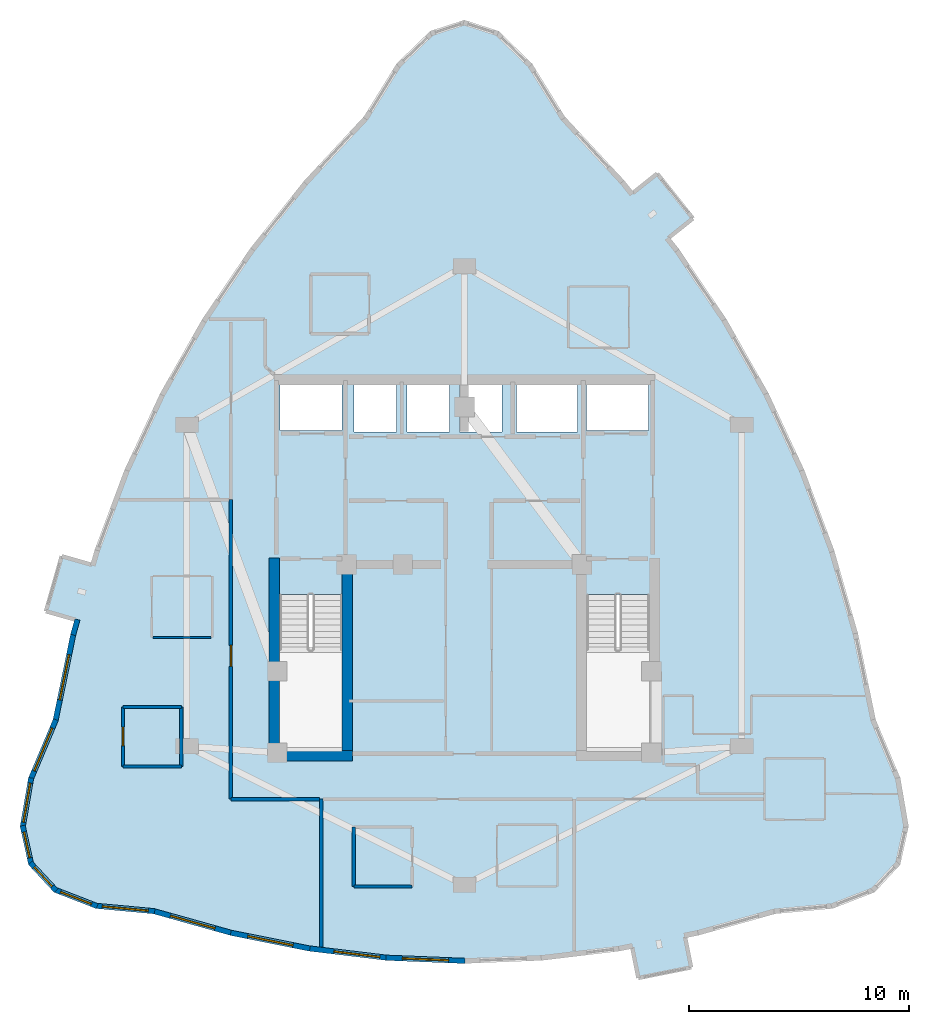
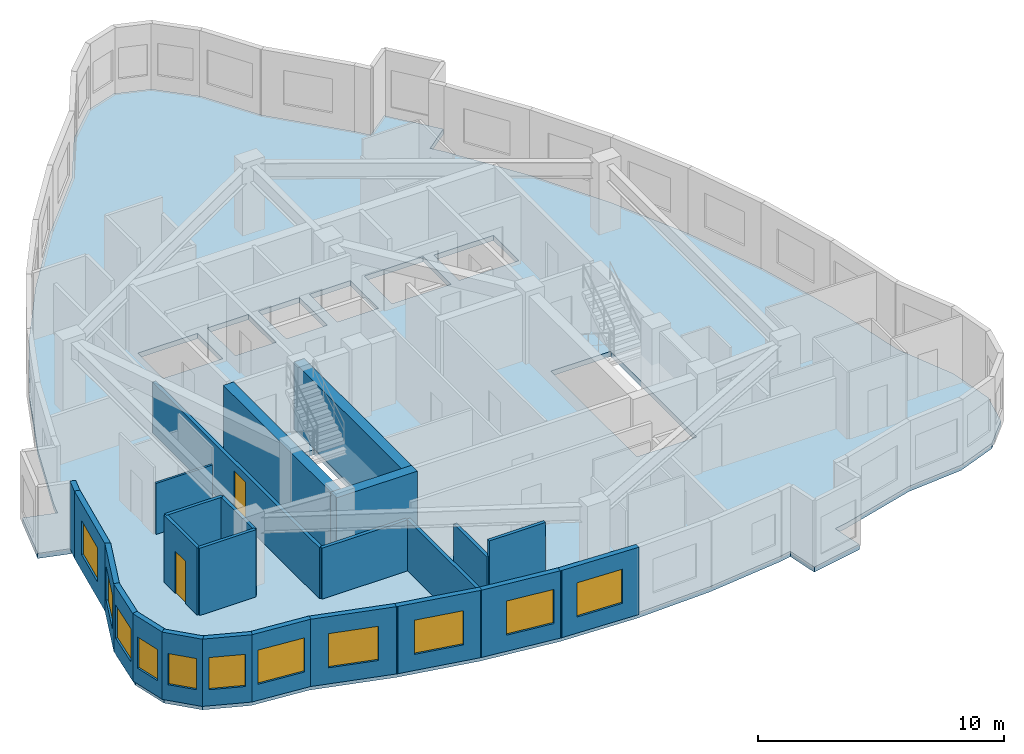
# One storey, part 3 of 8: 25 walls, 11 windows, 2 doors, 1 slab, 13 openings.
"""IFC4 building model written with IfcOpenShell, lengths in metres."""

from ifc_helpers import new_model, si_unit, direction, frame, frame_2d, origin, place, context, subcontext, project, spatial, polyline, rectangle, outline, extrude, material, layer, layer_set, type_object, element, fill, save


model = new_model("IFC4")

# Units and contexts
model_context = context("Model", 3, precision=1e-05, world=origin(), true_north=direction((0.0, 1.0)))
body_context = subcontext(model_context, "Body", "Model", "MODEL_VIEW")
ifc_project = project(units=[si_unit("LENGTHUNIT", "METRE"), si_unit("AREAUNIT", "SQUARE_METRE"), si_unit("VOLUMEUNIT", "CUBIC_METRE"), si_unit("PLANEANGLEUNIT", "RADIAN"), si_unit("MASSUNIT", "GRAM", prefix="KILO")], contexts=[model_context])

# Site, building, storey
site_placement = place(None, origin())
site = spatial("IfcSite", under=ifc_project, at=site_placement, CompositionType="ELEMENT")
building_placement = place(site_placement, origin())
building = spatial("IfcBuilding", under=site, at=building_placement, Name="Miruveldt Soraemaru", CompositionType="ELEMENT")
storey_placement = place(building_placement, frame((0.0, 0.0, 208.800048828125)))
storey = spatial("IfcBuildingStorey", under=building, at=storey_placement, Name="L57", CompositionType="ELEMENT", Elevation=208.800048828125)

# Slab
ifc_material_1 = material(Name="Concrete C40/50 (40 MPa)", Category="concrete")
ifc_layer_1 = layer(ifc_material_1, 0.2548828125, Name="Concrete C40/50 (40 MPa)", Category="concrete")
ifc_layer_set_1 = layer_set([ifc_layer_1], Name="Concrete C40/50 (40 MPa)")
slab_type = type_object("IfcSlabType", Name="SLAB-RES3-255", PredefinedType="FLOOR", material=ifc_layer_set_1)
slab_placement = place(storey_placement, frame((0.0, 0.0, -0.255126953125)))
element("IfcSlab", 1, at=slab_placement, inside=storey, type_object=slab_type, Name="L57 Structural Floor Slab", PredefinedType="FLOOR", context=body_context, shape_type="SweptSolid", body=[
    extrude(outline(polyline([(51.9033203125, 25.273681640625), (51.613037109375, 26.72509765625), (51.049072265625, 26.6123046875), (47.524658203125, 26.189208984375), (44.0, 26.04833984375), (40.475341796875, 26.189208984375), (36.950927734375, 26.6123046875), (33.42626953125, 27.317138671875), (29.90185546875, 28.303955078125), (27.294921875, 28.544921875), (25.432861328125, 29.267333984375), (24.3154296875, 30.471435546875), (23.943115234375, 32.156982421875), (24.3154296875, 34.324462890625), (25.432861328125, 36.973388671875), (26.23779296875, 40.885498046875), (26.777099609375, 42.77099609375), (26.419677734375, 41.521240234375), (24.99658203125, 41.92822265625), (25.711669921875, 44.427978515625), (27.134521484375, 44.02099609375), (27.31640625, 44.656494140625), (28.66845703125, 48.28662109375), (30.2939453125, 51.77587890625), (32.193115234375, 55.1240234375), (34.365478515625, 58.331298828125), (36.8115234375, 61.397216796875), (39.531005859375, 64.322509765625), (41.0205078125, 66.730712890625), (42.51025390625, 68.175537109375), (44.0, 68.6572265625), (45.48974609375, 68.175537109375), (46.9794921875, 66.730712890625), (48.468994140625, 64.322509765625), (51.1884765625, 61.397216796875), (52.41162109375, 59.8642578125), (51.600830078125, 60.880615234375), (52.7578125, 61.803466796875), (54.379150390625, 59.77099609375), (53.22216796875, 58.847900390625), (53.634521484375, 58.331298828125), (55.806884765625, 55.1240234375), (57.7060546875, 51.77587890625), (59.33154296875, 48.28662109375), (60.68359375, 44.656494140625), (61.76220703125, 40.885498046875), (62.567138671875, 36.973388671875), (63.6845703125, 34.324462890625), (64.056884765625, 32.156982421875), (63.6845703125, 30.471435546875), (62.567138671875, 29.267333984375), (60.705078125, 28.544921875), (58.09814453125, 28.303955078125), (54.57373046875, 27.317138671875), (52.811279296875, 26.964599609375), (54.009765625, 27.204345703125), (54.2998046875, 25.7529296875), (51.9033203125, 25.273681640625)]), holes=[polyline([(35.614990234375, 35.6650390625), (38.43505859375, 35.6650390625), (38.43505859375, 42.68505859375), (35.614990234375, 42.68505859375), (35.614990234375, 35.6650390625)]), polyline([(49.56494140625, 35.6650390625), (52.385009765625, 35.6650390625), (52.385009765625, 42.68505859375), (49.56494140625, 42.68505859375), (49.56494140625, 35.6650390625)]), polyline([(38.445068359375, 50.135009765625), (38.445068359375, 52.205078125), (35.635009765625, 52.205078125), (35.635009765625, 50.135009765625), (38.445068359375, 50.135009765625)]), polyline([(52.364990234375, 50.135009765625), (52.364990234375, 52.205078125), (49.554931640625, 52.205078125), (49.554931640625, 50.135009765625), (52.364990234375, 50.135009765625)]), polyline([(40.9150390625, 50.06494140625), (40.9150390625, 52.3349609375), (38.985107421875, 52.3349609375), (38.985107421875, 50.06494140625), (40.9150390625, 50.06494140625)]), polyline([(43.31494140625, 50.06494140625), (43.31494140625, 52.3349609375), (41.385009765625, 52.3349609375), (41.385009765625, 50.06494140625), (43.31494140625, 50.06494140625)]), polyline([(45.715087890625, 50.06494140625), (45.715087890625, 52.3349609375), (43.784912109375, 52.3349609375), (43.784912109375, 50.06494140625), (45.715087890625, 50.06494140625)]), polyline([(49.135009765625, 50.06494140625), (49.135009765625, 52.3349609375), (46.364990234375, 52.3349609375), (46.364990234375, 50.06494140625), (49.135009765625, 50.06494140625)])]), origin(), (0.0, 0.0, 1.0), 0.255126953125),
])

# Walls
ifc_material_2 = material(Name="Concrete C60/75 (60 MPa)", Category="concrete")
ifc_layer_2 = layer(ifc_material_2, 0.47998046875, Name="Concrete C60/75 (60 MPa)", Category="concrete")
ifc_layer_set_2 = layer_set([ifc_layer_2], Name="Concrete C60/75 (60 MPa)")
wall_type_1 = type_object("IfcWallType", Name="WALL-CW-480", PredefinedType="SHEAR", material=ifc_layer_set_2)
wall_1_placement = place(storey_placement, frame((35.1201171875, 35.360107421875, 0.0), z_axis=(0.0, 0.0, 1.0), x_axis=(1.0, 0.0, 0.0)))
element("IfcWall", 2, at=wall_1_placement, inside=storey, type_object=wall_type_1, Name="L57 Central Core Shear Wall S1", PredefinedType="SHEAR", context=body_context, shape_type="SweptSolid", body=[
    extrude(rectangle(XDim=3.809814453125, YDim=0.47998046875, at=frame_2d((1.90478515625, 0.0))), origin(), (0.0, 0.0, 1.0), 3.344970703125),
])
wall_2_placement = place(storey_placement, frame((35.360107421875, 35.1201171875, 0.0), z_axis=(0.0, 0.0, 1.0), x_axis=(0.0, 1.0, 0.0)))
element("IfcWall", 3, at=wall_2_placement, inside=storey, type_object=wall_type_1, Name="L57 Central Core Shear Wall W1", PredefinedType="SHEAR", context=body_context, shape_type="SweptSolid", body=[
    extrude(rectangle(XDim=9.22998046875, YDim=0.47998046875, at=frame_2d((4.614990234375, 0.0))), origin(), (0.0, 0.0, 1.0), 3.344970703125),
])
wall_3_placement = place(storey_placement, frame((38.68994140625, 35.39990234375, 0.0), z_axis=(0.0, 0.0, 1.0), x_axis=(0.0, 1.0, 0.0)))
element("IfcWall", 4, at=wall_3_placement, inside=storey, type_object=wall_type_1, Name="L57 Central Core Shear Wall SW-INT", PredefinedType="SHEAR", context=body_context, shape_type="SweptSolid", body=[
    extrude(rectangle(XDim=8.9501953125, YDim=0.47998046875, at=frame_2d((4.47509765625, 0.0))), origin(), (0.0, 0.0, 1.0), 3.344970703125),
])
ifc_material_3 = material(Name="Precast concrete C45/55 (45 MPa)", Category="concrete")
ifc_layer_3 = layer(ifc_material_3, 0.239990234375, Name="Precast concrete C45/55 (45 MPa)", Category="concrete")
ifc_layer_set_3 = layer_set([ifc_layer_3], Name="Precast concrete C45/55 (45 MPa)")
wall_type_2 = type_object("IfcWallType", Name="WALL-EXT-PC240", PredefinedType="SOLIDWALL", material=ifc_layer_set_3)
wall_4_placement = place(storey_placement, frame((26.427734375, 41.550048828125, 0.0), z_axis=(0.0, 0.0, 1.0), x_axis=(-0.274676723617, -0.961536633469, 0.0)))
element("IfcWall", 5, at=wall_4_placement, inside=storey, type_object=wall_type_2, Name="L57 Precast Pier Wall 13B", PredefinedType="SOLIDWALL", context=body_context, shape_type="SweptSolid", body=[
    extrude(rectangle(XDim=0.72607421875, YDim=0.239990234375, at=frame_2d((0.363037109375, 0.0))), origin(), (0.0, 0.0, 1.0), 3.344970703125),
])

# Wall, opening, window
wall_5_placement = place(storey_placement, frame((26.244873046875, 40.919921875, 0.0), z_axis=(0.0, 0.0, 1.0), x_axis=(-0.201542745203, -0.979479719982, 0.0)))
wall_5 = element("IfcWall", 6, at=wall_5_placement, inside=storey, type_object=wall_type_2, Name="L57 Precast Concrete Facade Wall 14", PredefinedType="SOLIDWALL", context=body_context, shape_type="SweptSolid", body=[
    extrude(rectangle(XDim=4.064208984375, YDim=0.239990234375, at=frame_2d((2.0322265625, 0.0))), origin(), (0.0, 0.0, 1.0), 3.344970703125),
])
opening_1_placement = place(wall_5_placement, frame((0.98193359375, 0.0, 0.800048828125)))
opening_1 = element("IfcOpeningElement", 7, at=opening_1_placement, cuts=wall_5, Name="Opening WN-1", PredefinedType="OPENING", context=body_context, shape_type="SweptSolid", body=[
    extrude(rectangle(XDim=2.10009765625, YDim=1.699951171875, at=frame_2d((1.050048828125, 0.85009765625))), frame((0.0, 0.1298828125, 0.0), z_axis=(0.0, -1.0, 0.0), x_axis=(1.0, 0.0, 0.0)), (0.0, 0.0, 1.0), 0.260009765625),
])
ifc_material_4 = material(Name="Triple low-e insulated glazing", Category="glass")
window_type_1 = type_object("IfcWindowType", Name="WIN-PUNCH-2100x1700", PartitioningType="SINGLE_PANEL", PredefinedType="WINDOW", material=ifc_material_4)
window_1_placement = place(opening_1_placement, origin())
window_1 = element("IfcWindow", 8, at=window_1_placement, inside=storey, type_object=window_type_1, Name="L57 Punched Triple-Glazed Window 14.1", OverallHeight=1.699951171875, OverallWidth=2.10009765625, PartitioningType="SINGLE_PANEL", PredefinedType="WINDOW", context=body_context, shape_type="SweptSolid", body=[
    extrude(rectangle(XDim=2.10009765625, YDim=1.699951171875, at=frame_2d((1.050048828125, 0.85009765625))), frame((0.0, 0.030029296875, 0.0), z_axis=(0.0, -1.0, 0.0), x_axis=(1.0, 0.0, 0.0)), (0.0, 0.0, 1.0), 0.06005859375),
])
fill(opening_1, window_1)

wall_6_placement = place(storey_placement, frame((25.4462890625, 37.005615234375, 0.0), z_axis=(0.0, 0.0, 1.0), x_axis=(-0.388579536892, -0.921415185196, 0.0)))
wall_6 = element("IfcWall", 9, at=wall_6_placement, inside=storey, type_object=wall_type_2, Name="L57 Precast Concrete Facade Wall 15", PredefinedType="SOLIDWALL", context=body_context, shape_type="SweptSolid", body=[
    extrude(rectangle(XDim=2.94482421875, YDim=0.239990234375, at=frame_2d((1.472412109375, 0.0))), origin(), (0.0, 0.0, 1.0), 3.344970703125),
])
opening_2_placement = place(wall_6_placement, frame((0.423095703125, 0.0, 0.800048828125)))
opening_2 = element("IfcOpeningElement", 10, at=opening_2_placement, cuts=wall_6, Name="Opening WN-1", PredefinedType="OPENING", context=body_context, shape_type="SweptSolid", body=[
    extrude(rectangle(XDim=2.10009765625, YDim=1.699951171875, at=frame_2d((1.050048828125, 0.85009765625))), frame((0.0, 0.1298828125, 0.0), z_axis=(0.0, -1.0, 0.0), x_axis=(1.0, 0.0, 0.0)), (0.0, 0.0, 1.0), 0.260009765625),
])
window_2_placement = place(opening_2_placement, origin())
window_2 = element("IfcWindow", 11, at=window_2_placement, inside=storey, type_object=window_type_1, Name="L57 Punched Triple-Glazed Window 15.1", OverallHeight=1.699951171875, OverallWidth=2.10009765625, PartitioningType="SINGLE_PANEL", PredefinedType="WINDOW", context=body_context, shape_type="SweptSolid", body=[
    extrude(rectangle(XDim=2.10009765625, YDim=1.699951171875, at=frame_2d((1.050048828125, 0.85009765625))), frame((0.0, 0.030029296875, 0.0), z_axis=(0.0, -1.0, 0.0), x_axis=(1.0, 0.0, 0.0)), (0.0, 0.0, 1.0), 0.06005859375),
])
fill(opening_2, window_2)

wall_7_placement = place(storey_placement, frame((24.3212890625, 34.35888671875, 0.0), z_axis=(0.0, 0.0, 1.0), x_axis=(-0.16924751517, -0.985573578486, 0.0)))
wall_7 = element("IfcWall", 12, at=wall_7_placement, inside=storey, type_object=wall_type_2, Name="L57 Precast Concrete Facade Wall 16", PredefinedType="SOLIDWALL", context=body_context, shape_type="SweptSolid", body=[
    extrude(rectangle(XDim=2.26904296875, YDim=0.239990234375, at=frame_2d((1.134521484375, 0.0))), origin(), (0.0, 0.0, 1.0), 3.344970703125),
])
opening_3_placement = place(wall_7_placement, frame((0.235107421875, 0.0, 0.800048828125)))
opening_3 = element("IfcOpeningElement", 13, at=opening_3_placement, cuts=wall_7, Name="Opening WN-2", PredefinedType="OPENING", context=body_context, shape_type="SweptSolid", body=[
    extrude(rectangle(XDim=1.800048828125, YDim=1.64990234375, at=frame_2d((0.89990234375, 0.824951171875))), frame((0.0, 0.1298828125, 0.0), z_axis=(0.0, -1.0, 0.0), x_axis=(1.0, 0.0, 0.0)), (0.0, 0.0, 1.0), 0.260009765625),
])
window_type_2 = type_object("IfcWindowType", Name="WIN-PUNCH-1800x1650", PartitioningType="SINGLE_PANEL", PredefinedType="WINDOW", material=ifc_material_4)
window_3_placement = place(opening_3_placement, origin())
window_3 = element("IfcWindow", 14, at=window_3_placement, inside=storey, type_object=window_type_2, Name="L57 Punched Triple-Glazed Window 16.1", OverallHeight=1.64990234375, OverallWidth=1.800048828125, PartitioningType="SINGLE_PANEL", PredefinedType="WINDOW", context=body_context, shape_type="SweptSolid", body=[
    extrude(rectangle(XDim=1.800048828125, YDim=1.64990234375, at=frame_2d((0.89990234375, 0.824951171875))), frame((0.0, 0.030029296875, 0.0), z_axis=(0.0, -1.0, 0.0), x_axis=(1.0, 0.0, 0.0)), (0.0, 0.0, 1.0), 0.06005859375),
])
fill(opening_3, window_3)

wall_8_placement = place(storey_placement, frame((23.935546875, 32.19140625, 0.0), z_axis=(0.0, 0.0, 1.0), x_axis=(0.21567837117, -0.976464459266, 0.0)))
wall_8 = element("IfcWall", 15, at=wall_8_placement, inside=storey, type_object=wall_type_2, Name="L57 Precast Concrete Facade Wall 17", PredefinedType="SOLIDWALL", context=body_context, shape_type="SweptSolid", body=[
    extrude(rectangle(XDim=1.79638671875, YDim=0.239990234375, at=frame_2d((0.898193359375, 0.0))), origin(), (0.0, 0.0, 1.0), 3.344970703125),
])
opening_4_placement = place(wall_8_placement, frame((0.298095703125, 0.0, 0.780029296875)))
opening_4 = element("IfcOpeningElement", 16, at=opening_4_placement, cuts=wall_8, Name="Opening WN-4", PredefinedType="OPENING", context=body_context, shape_type="SweptSolid", body=[
    extrude(rectangle(XDim=1.199951171875, YDim=1.550048828125, at=frame_2d((0.60009765625, 0.77490234375))), frame((0.0, 0.1298828125, 0.0), z_axis=(0.0, -1.0, 0.0), x_axis=(1.0, 0.0, 0.0)), (0.0, 0.0, 1.0), 0.260009765625),
])
window_type_3 = type_object("IfcWindowType", Name="WIN-PUNCH-1200x1550", PartitioningType="SINGLE_PANEL", PredefinedType="WINDOW", material=ifc_material_4)
window_4_placement = place(opening_4_placement, origin())
window_4 = element("IfcWindow", 17, at=window_4_placement, inside=storey, type_object=window_type_3, Name="L57 Punched Triple-Glazed Window 17.1", OverallHeight=1.550048828125, OverallWidth=1.199951171875, PartitioningType="SINGLE_PANEL", PredefinedType="WINDOW", context=body_context, shape_type="SweptSolid", body=[
    extrude(rectangle(XDim=1.199951171875, YDim=1.550048828125, at=frame_2d((0.60009765625, 0.77490234375))), frame((0.0, 0.030029296875, 0.0), z_axis=(0.0, -1.0, 0.0), x_axis=(1.0, 0.0, 0.0)), (0.0, 0.0, 1.0), 0.06005859375),
])
fill(opening_4, window_4)

wall_9_placement = place(storey_placement, frame((24.291748046875, 30.4970703125, 0.0), z_axis=(0.0, 0.0, 1.0), x_axis=(0.680166703881, -0.733057470416, 0.0)))
wall_9 = element("IfcWall", 18, at=wall_9_placement, inside=storey, type_object=wall_type_2, Name="L57 Precast Concrete Facade Wall 18", PredefinedType="SOLIDWALL", context=body_context, shape_type="SweptSolid", body=[
    extrude(rectangle(XDim=1.71240234375, YDim=0.239990234375, at=frame_2d((0.856201171875, 0.0))), origin(), (0.0, 0.0, 1.0), 3.344970703125),
])
opening_5_placement = place(wall_9_placement, frame((0.256103515625, 0.0, 0.780029296875)))
opening_5 = element("IfcOpeningElement", 19, at=opening_5_placement, cuts=wall_9, Name="Opening WN-4", PredefinedType="OPENING", context=body_context, shape_type="SweptSolid", body=[
    extrude(rectangle(XDim=1.199951171875, YDim=1.550048828125, at=frame_2d((0.60009765625, 0.77490234375))), frame((0.0, 0.1298828125, 0.0), z_axis=(0.0, -1.0, 0.0), x_axis=(1.0, 0.0, 0.0)), (0.0, 0.0, 1.0), 0.260009765625),
])
window_5_placement = place(opening_5_placement, origin())
window_5 = element("IfcWindow", 20, at=window_5_placement, inside=storey, type_object=window_type_3, Name="L57 Punched Triple-Glazed Window 18.1", OverallHeight=1.550048828125, OverallWidth=1.199951171875, PartitioningType="SINGLE_PANEL", PredefinedType="WINDOW", context=body_context, shape_type="SweptSolid", body=[
    extrude(rectangle(XDim=1.199951171875, YDim=1.550048828125, at=frame_2d((0.60009765625, 0.77490234375))), frame((0.0, 0.030029296875, 0.0), z_axis=(0.0, -1.0, 0.0), x_axis=(1.0, 0.0, 0.0)), (0.0, 0.0, 1.0), 0.06005859375),
])
fill(opening_5, window_5)

wall_10_placement = place(storey_placement, frame((25.400146484375, 29.280029296875, 0.0), z_axis=(0.0, 0.0, 1.0), x_axis=(0.932239398697, -0.361842097493, 0.0)))
wall_10 = element("IfcWall", 21, at=wall_10_placement, inside=storey, type_object=wall_type_2, Name="L57 Precast Concrete Facade Wall 19", PredefinedType="SOLIDWALL", context=body_context, shape_type="SweptSolid", body=[
    extrude(rectangle(XDim=2.0673828125, YDim=0.239990234375, at=frame_2d((1.03369140625, 0.0))), origin(), (0.0, 0.0, 1.0), 3.344970703125),
])
opening_6_placement = place(wall_10_placement, frame((0.283935546875, 0.0, 0.800048828125)))
opening_6 = element("IfcOpeningElement", 22, at=opening_6_placement, cuts=wall_10, Name="Opening WN-3", PredefinedType="OPENING", context=body_context, shape_type="SweptSolid", body=[
    extrude(rectangle(XDim=1.5, YDim=1.60009765625, at=frame_2d((0.75, 0.800048828125))), frame((0.0, 0.1298828125, 0.0), z_axis=(0.0, -1.0, 0.0), x_axis=(1.0, 0.0, 0.0)), (0.0, 0.0, 1.0), 0.260009765625),
])
window_type_4 = type_object("IfcWindowType", Name="WIN-PUNCH-1500x1600", PartitioningType="SINGLE_PANEL", PredefinedType="WINDOW", material=ifc_material_4)
window_6_placement = place(opening_6_placement, origin())
window_6 = element("IfcWindow", 23, at=window_6_placement, inside=storey, type_object=window_type_4, Name="L57 Punched Triple-Glazed Window 19.1", OverallHeight=1.60009765625, OverallWidth=1.5, PartitioningType="SINGLE_PANEL", PredefinedType="WINDOW", context=body_context, shape_type="SweptSolid", body=[
    extrude(rectangle(XDim=1.5, YDim=1.60009765625, at=frame_2d((0.75, 0.800048828125))), frame((0.0, 0.030029296875, 0.0), z_axis=(0.0, -1.0, 0.0), x_axis=(1.0, 0.0, 0.0)), (0.0, 0.0, 1.0), 0.06005859375),
])
fill(opening_6, window_6)

wall_11_placement = place(storey_placement, frame((27.260009765625, 28.548095703125, 0.0), z_axis=(0.0, 0.0, 1.0), x_axis=(0.995758874352, -0.092001435582, 0.0)))
wall_11 = element("IfcWall", 24, at=wall_11_placement, inside=storey, type_object=wall_type_2, Name="L57 Precast Concrete Facade Wall 20", PredefinedType="SOLIDWALL", context=body_context, shape_type="SweptSolid", body=[
    extrude(rectangle(XDim=2.688232421875, YDim=0.239990234375, at=frame_2d((1.34423828125, 0.0))), origin(), (0.0, 0.0, 1.0), 3.344970703125),
])
opening_7_placement = place(wall_11_placement, frame((0.2939453125, 0.0, 0.800048828125)))
opening_7 = element("IfcOpeningElement", 25, at=opening_7_placement, cuts=wall_11, Name="Opening WN-1", PredefinedType="OPENING", context=body_context, shape_type="SweptSolid", body=[
    extrude(rectangle(XDim=2.10009765625, YDim=1.699951171875, at=frame_2d((1.050048828125, 0.85009765625))), frame((0.0, 0.1298828125, 0.0), z_axis=(0.0, -1.0, 0.0), x_axis=(1.0, 0.0, 0.0)), (0.0, 0.0, 1.0), 0.260009765625),
])
window_7_placement = place(opening_7_placement, origin())
window_7 = element("IfcWindow", 26, at=window_7_placement, inside=storey, type_object=window_type_1, Name="L57 Punched Triple-Glazed Window 20.1", OverallHeight=1.699951171875, OverallWidth=2.10009765625, PartitioningType="SINGLE_PANEL", PredefinedType="WINDOW", context=body_context, shape_type="SweptSolid", body=[
    extrude(rectangle(XDim=2.10009765625, YDim=1.699951171875, at=frame_2d((1.050048828125, 0.85009765625))), frame((0.0, 0.030029296875, 0.0), z_axis=(0.0, -1.0, 0.0), x_axis=(1.0, 0.0, 0.0)), (0.0, 0.0, 1.0), 0.06005859375),
])
fill(opening_7, window_7)

wall_12_placement = place(storey_placement, frame((29.8681640625, 28.3134765625, 0.0), z_axis=(0.0, 0.0, 1.0), x_axis=(0.962953142371, -0.269668770158, 0.0)))
wall_12 = element("IfcWall", 27, at=wall_12_placement, inside=storey, type_object=wall_type_2, Name="L57 Precast Concrete Facade Wall 21", PredefinedType="SOLIDWALL", context=body_context, shape_type="SweptSolid", body=[
    extrude(rectangle(XDim=3.72998046875, YDim=0.239990234375, at=frame_2d((1.864990234375, 0.0))), origin(), (0.0, 0.0, 1.0), 3.344970703125),
])
opening_8_placement = place(wall_12_placement, frame((0.81494140625, 0.0, 0.800048828125)))
opening_8 = element("IfcOpeningElement", 28, at=opening_8_placement, cuts=wall_12, Name="Opening WN-1", PredefinedType="OPENING", context=body_context, shape_type="SweptSolid", body=[
    extrude(rectangle(XDim=2.10009765625, YDim=1.699951171875, at=frame_2d((1.050048828125, 0.85009765625))), frame((0.0, 0.1298828125, 0.0), z_axis=(0.0, -1.0, 0.0), x_axis=(1.0, 0.0, 0.0)), (0.0, 0.0, 1.0), 0.260009765625),
])
window_8_placement = place(opening_8_placement, origin())
window_8 = element("IfcWindow", 29, at=window_8_placement, inside=storey, type_object=window_type_1, Name="L57 Punched Triple-Glazed Window 21.1", OverallHeight=1.699951171875, OverallWidth=2.10009765625, PartitioningType="SINGLE_PANEL", PredefinedType="WINDOW", context=body_context, shape_type="SweptSolid", body=[
    extrude(rectangle(XDim=2.10009765625, YDim=1.699951171875, at=frame_2d((1.050048828125, 0.85009765625))), frame((0.0, 0.030029296875, 0.0), z_axis=(0.0, -1.0, 0.0), x_axis=(1.0, 0.0, 0.0)), (0.0, 0.0, 1.0), 0.06005859375),
])
fill(opening_8, window_8)

wall_13_placement = place(storey_placement, frame((33.39208984375, 27.323974609375, 0.0), z_axis=(0.0, 0.0, 1.0), x_axis=(0.980572987023, -0.19615457456, 0.0)))
wall_13 = element("IfcWall", 30, at=wall_13_placement, inside=storey, type_object=wall_type_2, Name="L57 Precast Concrete Facade Wall 22", PredefinedType="SOLIDWALL", context=body_context, shape_type="SweptSolid", body=[
    extrude(rectangle(XDim=3.664306640625, YDim=0.239990234375, at=frame_2d((1.83203125, 0.0))), origin(), (0.0, 0.0, 1.0), 3.344970703125),
])
opening_9_placement = place(wall_13_placement, frame((0.781982421875, 0.0, 0.800048828125)))
opening_9 = element("IfcOpeningElement", 31, at=opening_9_placement, cuts=wall_13, Name="Opening WN-1", PredefinedType="OPENING", context=body_context, shape_type="SweptSolid", body=[
    extrude(rectangle(XDim=2.10009765625, YDim=1.699951171875, at=frame_2d((1.050048828125, 0.85009765625))), frame((0.0, 0.1298828125, 0.0), z_axis=(0.0, -1.0, 0.0), x_axis=(1.0, 0.0, 0.0)), (0.0, 0.0, 1.0), 0.260009765625),
])
window_9_placement = place(opening_9_placement, origin())
window_9 = element("IfcWindow", 32, at=window_9_placement, inside=storey, type_object=window_type_1, Name="L57 Punched Triple-Glazed Window 22.1", OverallHeight=1.699951171875, OverallWidth=2.10009765625, PartitioningType="SINGLE_PANEL", PredefinedType="WINDOW", context=body_context, shape_type="SweptSolid", body=[
    extrude(rectangle(XDim=2.10009765625, YDim=1.699951171875, at=frame_2d((1.050048828125, 0.85009765625))), frame((0.0, 0.030029296875, 0.0), z_axis=(0.0, -1.0, 0.0), x_axis=(1.0, 0.0, 0.0)), (0.0, 0.0, 1.0), 0.06005859375),
])
fill(opening_9, window_9)

wall_14_placement = place(storey_placement, frame((36.916015625, 26.616455078125, 0.0), z_axis=(0.0, 0.0, 1.0), x_axis=(0.992873966084, -0.119169154875, 0.0)))
wall_14 = element("IfcWall", 33, at=wall_14_placement, inside=storey, type_object=wall_type_2, Name="L57 Precast Concrete Facade Wall 23", PredefinedType="SOLIDWALL", context=body_context, shape_type="SweptSolid", body=[
    extrude(rectangle(XDim=3.6201171875, YDim=0.239990234375, at=frame_2d((1.81005859375, 0.0))), origin(), (0.0, 0.0, 1.0), 3.344970703125),
])
opening_10_placement = place(wall_14_placement, frame((1.1689453125, 0.0, 0.800048828125)))
opening_10 = element("IfcOpeningElement", 34, at=opening_10_placement, cuts=wall_14, Name="Opening WN-1", PredefinedType="OPENING", context=body_context, shape_type="SweptSolid", body=[
    extrude(rectangle(XDim=2.10009765625, YDim=1.699951171875, at=frame_2d((1.050048828125, 0.85009765625))), frame((0.0, 0.1298828125, 0.0), z_axis=(0.0, -1.0, 0.0), x_axis=(1.0, 0.0, 0.0)), (0.0, 0.0, 1.0), 0.260009765625),
])
window_10_placement = place(opening_10_placement, origin())
window_10 = element("IfcWindow", 35, at=window_10_placement, inside=storey, type_object=window_type_1, Name="L57 Punched Triple-Glazed Window 23.1", OverallHeight=1.699951171875, OverallWidth=2.10009765625, PartitioningType="SINGLE_PANEL", PredefinedType="WINDOW", context=body_context, shape_type="SweptSolid", body=[
    extrude(rectangle(XDim=2.10009765625, YDim=1.699951171875, at=frame_2d((1.050048828125, 0.85009765625))), frame((0.0, 0.030029296875, 0.0), z_axis=(0.0, -1.0, 0.0), x_axis=(1.0, 0.0, 0.0)), (0.0, 0.0, 1.0), 0.06005859375),
])
fill(opening_10, window_10)

wall_15_placement = place(storey_placement, frame((40.4404296875, 26.190673828125, 0.0), z_axis=(0.0, 0.0, 1.0), x_axis=(0.999200741881, -0.039973459008, 0.0)))
wall_15 = element("IfcWall", 36, at=wall_15_placement, inside=storey, type_object=wall_type_2, Name="L57 Precast Concrete Facade Wall 24", PredefinedType="SOLIDWALL", context=body_context, shape_type="SweptSolid", body=[
    extrude(rectangle(XDim=3.597412109375, YDim=0.239990234375, at=frame_2d((1.798828125, 0.0))), origin(), (0.0, 0.0, 1.0), 3.344970703125),
])
opening_11_placement = place(wall_15_placement, frame((0.748046875, 0.0, 0.800048828125)))
opening_11 = element("IfcOpeningElement", 37, at=opening_11_placement, cuts=wall_15, Name="Opening WN-1", PredefinedType="OPENING", context=body_context, shape_type="SweptSolid", body=[
    extrude(rectangle(XDim=2.10009765625, YDim=1.699951171875, at=frame_2d((1.050048828125, 0.85009765625))), frame((0.0, 0.1298828125, 0.0), z_axis=(0.0, -1.0, 0.0), x_axis=(1.0, 0.0, 0.0)), (0.0, 0.0, 1.0), 0.260009765625),
])
window_11_placement = place(opening_11_placement, origin())
window_11 = element("IfcWindow", 38, at=window_11_placement, inside=storey, type_object=window_type_1, Name="L57 Punched Triple-Glazed Window 24.1", OverallHeight=1.699951171875, OverallWidth=2.10009765625, PartitioningType="SINGLE_PANEL", PredefinedType="WINDOW", context=body_context, shape_type="SweptSolid", body=[
    extrude(rectangle(XDim=2.10009765625, YDim=1.699951171875, at=frame_2d((1.050048828125, 0.85009765625))), frame((0.0, 0.030029296875, 0.0), z_axis=(0.0, -1.0, 0.0), x_axis=(1.0, 0.0, 0.0)), (0.0, 0.0, 1.0), 0.06005859375),
])
fill(opening_11, window_11)

# Wall
ifc_material_5 = material(Name="Gypsum plasterboard lining", Category="gypsum")
ifc_layer_4 = layer(ifc_material_5, 0.10009765625, Name="Gypsum plasterboard lining", Category="gypsum")
ifc_layer_set_4 = layer_set([ifc_layer_4], Name="Gypsum plasterboard lining")
wall_type_3 = type_object("IfcWallType", Name="WALL-INT-P100", PredefinedType="PARTITIONING", material=ifc_layer_set_4)
wall_16_placement = place(storey_placement, frame((29.847900390625, 40.72998046875, 0.0), z_axis=(0.0, 0.0, 1.0), x_axis=(1.0, 0.0, 0.0)))
element("IfcWall", 39, at=wall_16_placement, inside=storey, type_object=wall_type_3, Name="L57 Partition Wall 26", PredefinedType="PARTITIONING", context=body_context, shape_type="SweptSolid", body=[
    extrude(rectangle(XDim=2.650146484375, YDim=0.10009765625, at=frame_2d((1.3251953125, 0.0))), origin(), (0.0, 0.0, 1.0), 2.532958984375),
])

# Wall, opening, door
ifc_layer_5 = layer(ifc_material_5, 0.14990234375, Name="Gypsum plasterboard lining", Category="gypsum")
ifc_layer_set_5 = layer_set([ifc_layer_5], Name="Gypsum plasterboard lining")
wall_type_4 = type_object("IfcWallType", Name="WALL-INT-PLUMB", PredefinedType="PLUMBINGWALL", material=ifc_layer_set_5)
wall_17_placement = place(storey_placement, frame((28.498046875, 37.580078125, 0.0), z_axis=(0.0, 0.0, 1.0), x_axis=(0.0, -1.0, 0.0)))
wall_17 = element("IfcWall", 40, at=wall_17_placement, inside=storey, type_object=wall_type_4, Name="L57 Partition Wall 21", PredefinedType="PLUMBINGWALL", context=body_context, shape_type="SweptSolid", body=[
    extrude(rectangle(XDim=2.7001953125, YDim=0.14990234375, at=frame_2d((1.35009765625, 0.0))), origin(), (0.0, 0.0, 1.0), 3.344970703125),
])
opening_12_placement = place(wall_17_placement, frame((0.909912109375, 0.0, 0.0)))
opening_12 = element("IfcOpeningElement", 41, at=opening_12_placement, cuts=wall_17, Name="Opening FD3", PredefinedType="OPENING", context=body_context, shape_type="SweptSolid", body=[
    extrude(rectangle(XDim=0.85009765625, YDim=2.10009765625, at=frame_2d((0.425048828125, 1.050048828125))), frame((0.0, 0.0849609375, 0.0), z_axis=(0.0, -1.0, 0.0), x_axis=(1.0, 0.0, 0.0)), (0.0, 0.0, 1.0), 0.169921875),
])
ifc_material_6 = material(Name="Anodised aluminium EN AW-6063 T6", Category="aluminium")
door_type_1 = type_object("IfcDoorType", Name="DOOR-FD3-850", OperationType="NOTDEFINED", PredefinedType="DOOR", material=ifc_material_6)
door_1_placement = place(opening_12_placement, origin())
door_1 = element("IfcDoor", 42, at=door_1_placement, inside=storey, type_object=door_type_1, Name="L57 Unit 5702 BTH Door", OperationType="SINGLE_SWING_RIGHT", OverallHeight=2.10009765625, OverallWidth=0.85009765625, PredefinedType="DOOR", context=body_context, shape_type="SweptSolid", body=[
    extrude(rectangle(XDim=0.85009765625, YDim=2.10009765625, at=frame_2d((0.425048828125, 1.050048828125))), frame((0.0, 0.02490234375, 0.0), z_axis=(0.0, -1.0, 0.0), x_axis=(1.0, 0.0, 0.0)), (0.0, 0.0, 1.0), 0.050048828125),
])
fill(opening_12, door_1)

# Walls
wall_18_placement = place(storey_placement, frame((38.97998046875, 32.1298828125, 0.0), z_axis=(0.0, 0.0, 1.0), x_axis=(0.0, -1.0, 0.0)))
element("IfcWall", 43, at=wall_18_placement, inside=storey, type_object=wall_type_4, Name="L57 Partition Wall 30", PredefinedType="PLUMBINGWALL", context=body_context, shape_type="SweptSolid", body=[
    extrude(rectangle(XDim=2.699951171875, YDim=0.14990234375, at=frame_2d((1.35009765625, 0.0))), origin(), (0.0, 0.0, 1.0), 2.532958984375),
])
wall_19_placement = place(storey_placement, frame((31.14794921875, 34.8798828125, 0.0), z_axis=(0.0, 0.0, 1.0), x_axis=(0.0, 1.0, 0.0)))
element("IfcWall", 44, at=wall_19_placement, inside=storey, type_object=wall_type_4, Name="L57 Partition Wall 19", PredefinedType="PLUMBINGWALL", context=body_context, shape_type="SweptSolid", body=[
    extrude(rectangle(XDim=2.7001953125, YDim=0.14990234375, at=frame_2d((1.35009765625, 0.0))), origin(), (0.0, 0.0, 1.0), 3.344970703125),
])
for number, where, z_axis, x_axis, name in (
    (45, (38.97998046875, 29.429931640625, 0.0), (0.0, 0.0, 1.0), (1.0, 0.0, 0.0), "L57 Partition Wall 31"),
    (46, (31.14794921875, 37.580078125, 0.0), (0.0, 0.0, 1.0), (-1.0, 0.0, 0.0), "L57 Partition Wall 20"),
    (47, (28.498046875, 34.8798828125, 0.0), (0.0, 0.0, 1.0), (1.0, 0.0, 0.0), "L57 Partition Wall 22"),
):
    element("IfcWall", number, at=place(storey_placement, frame(where, z_axis=z_axis, x_axis=x_axis)), inside=storey, type_object=wall_type_4, Name=name, PredefinedType="PLUMBINGWALL", context=body_context, shape_type="SweptSolid", body=[
        extrude(rectangle(XDim=2.64990234375, YDim=0.14990234375, at=frame_2d((1.324951171875, 0.0))), origin(), (0.0, 0.0, 1.0), 3.344970703125),
    ])

# Wall, opening, door
ifc_layer_6 = layer(ifc_material_1, 0.159912109375, Name="Concrete C40/50 (40 MPa)", Category="concrete")
ifc_layer_set_6 = layer_set([ifc_layer_6], Name="Concrete C40/50 (40 MPa)")
wall_type_5 = type_object("IfcWallType", Name="WALL-INT-RC160", PredefinedType="SOLIDWALL", material=ifc_layer_set_6)
wall_20_placement = place(storey_placement, frame((33.39990234375, 46.9951171875, 0.0), z_axis=(0.0, 0.0, 1.0), x_axis=(0.0, -1.0, 0.0)))
wall_20 = element("IfcWall", 48, at=wall_20_placement, inside=storey, type_object=wall_type_5, Name="L57 Partition Wall 4", PredefinedType="SOLIDWALL", context=body_context, shape_type="SweptSolid", body=[
    extrude(rectangle(XDim=13.59521484375, YDim=0.159912109375, at=frame_2d((6.797607421875, 0.0))), origin(), (0.0, 0.0, 1.0), 2.532958984375),
])
opening_13_placement = place(wall_20_placement, frame((6.6201171875, 0.0, 0.0)))
opening_13 = element("IfcOpeningElement", 49, at=opening_13_placement, cuts=wall_20, Name="Opening FD2", PredefinedType="OPENING", context=body_context, shape_type="SweptSolid", body=[
    extrude(rectangle(XDim=0.949951171875, YDim=2.14990234375, at=frame_2d((0.47509765625, 1.074951171875))), frame((0.0, 0.08984375, 0.0), z_axis=(0.0, -1.0, 0.0), x_axis=(1.0, 0.0, 0.0)), (0.0, 0.0, 1.0), 0.179931640625),
])
door_type_2 = type_object("IfcDoorType", Name="DOOR-FD2-950", OperationType="NOTDEFINED", PredefinedType="DOOR", material=ifc_material_6)
door_2_placement = place(opening_13_placement, origin())
door_2 = element("IfcDoor", 50, at=door_2_placement, inside=storey, type_object=door_type_2, Name="L57 Unit 5702 Entrance Fire Door", OperationType="SINGLE_SWING_LEFT", OverallHeight=2.14990234375, OverallWidth=0.949951171875, PredefinedType="DOOR", context=body_context, shape_type="SweptSolid", body=[
    extrude(rectangle(XDim=0.949951171875, YDim=2.14990234375, at=frame_2d((0.47509765625, 1.074951171875))), frame((0.0, 0.02490234375, 0.0), z_axis=(0.0, -1.0, 0.0), x_axis=(1.0, 0.0, 0.0)), (0.0, 0.0, 1.0), 0.050048828125),
])
fill(opening_13, door_2)

# Walls
wall_21_placement = place(storey_placement, frame((37.507080078125, 26.680908203125, 0.0), z_axis=(0.0, 0.0, 1.0), x_axis=(-0.001053740195, 0.999999444816, 0.0)))
element("IfcWall", 51, at=wall_21_placement, inside=storey, type_object=wall_type_5, Name="L57 Partition Wall 27", PredefinedType="SOLIDWALL", context=body_context, shape_type="SweptSolid", body=[
    extrude(rectangle(XDim=6.718994140625, YDim=0.159912109375, at=frame_2d((3.359375, 0.0))), origin(), (0.0, 0.0, 1.0), 2.532958984375),
])
wall_22_placement = place(storey_placement, frame((33.39990234375, 33.39990234375, 0.0), z_axis=(0.0, 0.0, 1.0), x_axis=(1.0, 0.0, 0.0)))
element("IfcWall", 52, at=wall_22_placement, inside=storey, type_object=wall_type_5, Name="L57 Partition Wall 5", PredefinedType="SOLIDWALL", context=body_context, shape_type="SweptSolid", body=[
    extrude(rectangle(XDim=4.01513671875, YDim=0.159912109375, at=frame_2d((2.007568359375, 0.0))), origin(), (0.0, 0.0, 1.0), 2.532958984375),
])

save(model, "model.ifc")
